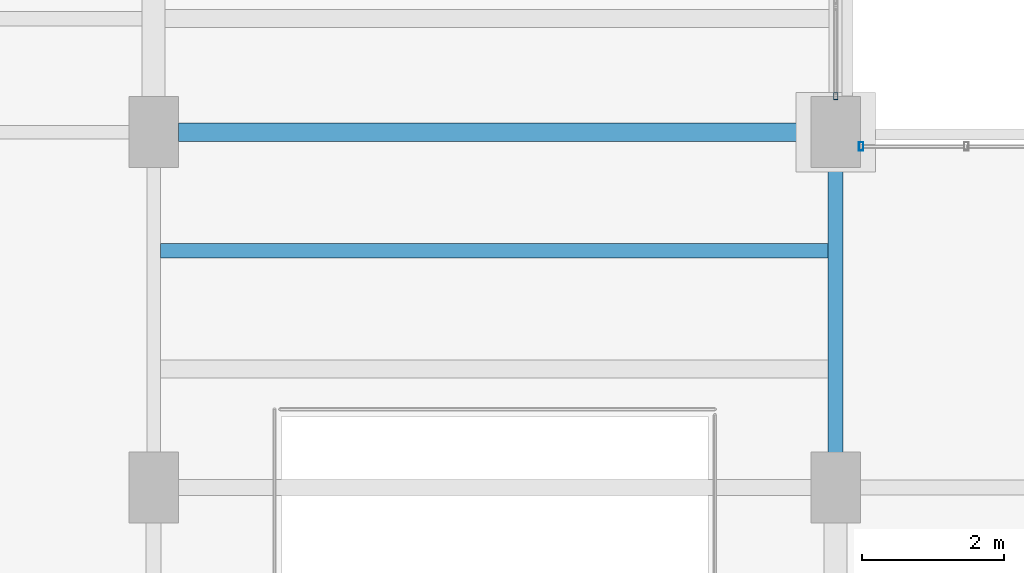
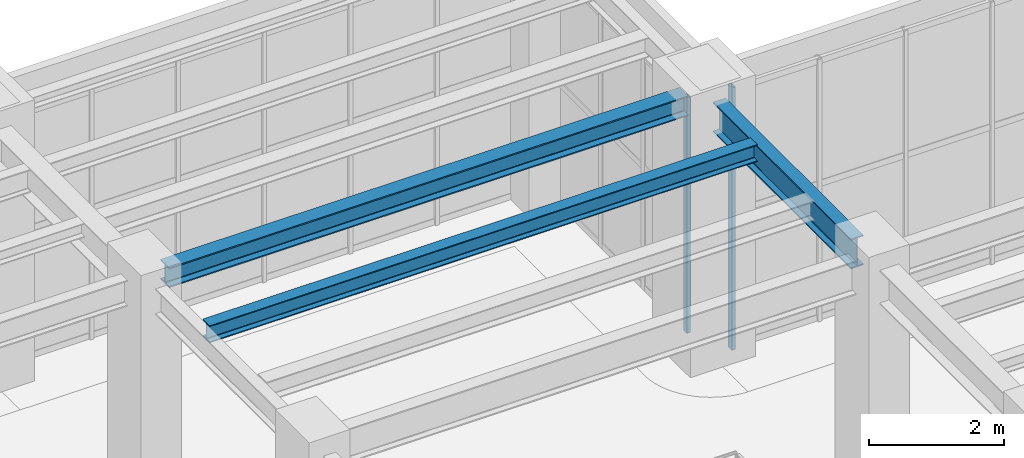
# One storey, part 91 of 174: 3 beams, 2 members, 2 elements without a shape of their own.
"""IFC4 building model written with IfcOpenShell, lengths in metres."""

from ifc_helpers import new_model, si_unit, direction, frame, origin, origin_2d, place, context, subcontext, project, spatial, hollow_rectangle, i_section, extrude, material, material_profile, profile_set, type_object, element, aggregate, save


model = new_model("IFC4")

# Units and contexts
model_context = context("Model", 3, precision=1e-05, world=origin(), true_north=direction((0.0, 1.0)))
body_context = subcontext(model_context, "Body", "Model", "MODEL_VIEW")
ifc_project = project(units=[si_unit("LENGTHUNIT", "METRE"), si_unit("AREAUNIT", "SQUARE_METRE"), si_unit("VOLUMEUNIT", "CUBIC_METRE"), si_unit("PLANEANGLEUNIT", "RADIAN"), si_unit("MASSUNIT", "GRAM", prefix="KILO")], contexts=[model_context])

# Site, building, storey
site_placement = place(None, origin())
site = spatial("IfcSite", under=ifc_project, at=site_placement, CompositionType="ELEMENT")
building_placement = place(site_placement, origin())
building = spatial("IfcBuilding", under=site, at=building_placement, Name="Mavantir Sound Aquarium", CompositionType="ELEMENT")
storey_placement = place(building_placement, frame((0.0, 0.0, 5.39990234375)))
storey = spatial("IfcBuildingStorey", under=building, at=storey_placement, Name="L01", CompositionType="ELEMENT", Elevation=5.39990234375)

# Beams
ifc_material_1 = material(Name="Structural Steel ASTM A992 Gr50", Category="steel")
ifc_material_profile_1 = material_profile(ifc_material_1, i_section(OverallWidth=0.205078125, OverallDepth=0.31005859375, WebThickness=0.009521484375, FlangeThickness=0.016357421875, FilletRadius=0.012939453125, at=origin_2d()), Name="W310X74")
ifc_profile_set_1 = profile_set([ifc_material_profile_1], Name="Structural Steel ASTM A992 Gr50")
beam_type_1 = type_object("IfcBeamType", Name="BM-W310X74-I", PredefinedType="JOIST", material=ifc_profile_set_1)
beam_1_placement = place(storey_placement, frame((108.096923828125, 89.13330078125, 4.651123046875), z_axis=(1.0, 0.0, 0.0), x_axis=(0.0, 1.0, 0.0)))
element("IfcBeam", 1, at=beam_1_placement, inside=storey, type_object=beam_type_1, Name="L01 secondary floor joist SJ-31 791", PredefinedType="JOIST", context=body_context, shape_type="SweptSolid", body=[
    extrude(i_section(OverallWidth=0.205078125, OverallDepth=0.31005859375, WebThickness=0.009521484375, FlangeThickness=0.016357421875, FilletRadius=0.012939453125, at=origin_2d()), origin(), (0.0, 0.0, 1.0), 9.39697265625),
])
ifc_material_profile_2 = material_profile(ifc_material_1, i_section(OverallWidth=0.257080078125, OverallDepth=0.363037109375, WebThickness=0.012939453125, FlangeThickness=0.021728515625, FilletRadius=0.014892578125, at=origin_2d()), Name="W360X122")
ifc_profile_set_2 = profile_set([ifc_material_profile_2], Name="Structural Steel ASTM A992 Gr50")
beam_type_2 = type_object("IfcBeamType", Name="BM-W360X122-I", PredefinedType="BEAM", material=ifc_profile_set_2)
beam_2_placement = place(storey_placement, frame((108.35009765625, 90.800048828125, 4.594482421875), z_axis=(1.0, 0.0, 0.0), x_axis=(0.0, 1.0, 0.0)))
element("IfcBeam", 2, at=beam_2_placement, inside=storey, type_object=beam_type_2, Name="L01 primary beam SB-36A 1280", PredefinedType="BEAM", context=body_context, shape_type="SweptSolid", body=[
    extrude(i_section(OverallWidth=0.257080078125, OverallDepth=0.363037109375, WebThickness=0.012939453125, FlangeThickness=0.021728515625, FilletRadius=0.014892578125, at=origin_2d()), origin(), (0.0, 0.0, 1.0), 8.89990234375),
])
ifc_material_profile_3 = material_profile(ifc_material_1, i_section(OverallWidth=0.2119140625, OverallDepth=0.5439453125, WebThickness=0.01318359375, FlangeThickness=0.021240234375, FilletRadius=0.01806640625, at=origin_2d()), Name="W530X123")
ifc_profile_set_3 = profile_set([ifc_material_profile_3], Name="Structural Steel ASTM A992 Gr50")
beam_type_3 = type_object("IfcBeamType", Name="BM-W530X123-I", PredefinedType="BEAM", material=ifc_profile_set_3)
beam_3_placement = place(storey_placement, frame((117.60009765625, 86.25, 4.504150390625), z_axis=(0.0, 1.0, 0.0), x_axis=(-1.0, 0.0, 0.0)))
element("IfcBeam", 3, at=beam_3_placement, inside=storey, type_object=beam_type_3, Name="L01 primary girder SB-53 1310", PredefinedType="BEAM", context=body_context, shape_type="SweptSolid", body=[
    extrude(i_section(OverallWidth=0.2119140625, OverallDepth=0.5439453125, WebThickness=0.01318359375, FlangeThickness=0.021240234375, FilletRadius=0.01806640625, at=origin_2d()), origin(), (0.0, 0.0, 1.0), 4.10009765625),
])

# Curtain wall, member
ifc_material_2 = material(Name="Anodised Marine Aluminium and Low-E Glass", Category="aluminium")
curtain_wall_type_1 = type_object("IfcCurtainWallType", Name="CW-T15", PredefinedType="USERDEFINED", material=ifc_material_2)
curtain_wall_1_placement = place(storey_placement, origin())
curtain_wall_1 = element("IfcCurtainWall", 4, at=curtain_wall_1_placement, inside=storey, type_object=curtain_wall_type_1, Name="L01 unitised curtain wall CW-15 87", ObjectType="UNITISED GLAZING", PredefinedType="USERDEFINED")
ifc_material_3 = material(Name="Anodised Marine Aluminium 6063-T6", Category="aluminium")
ifc_material_profile_4 = material_profile(ifc_material_3, hollow_rectangle(XDim=0.06005859375, YDim=0.10009765625, WallThickness=0.00390625, at=origin_2d()), Name="ALU-MULLION-100X60")
ifc_profile_set_4 = profile_set([ifc_material_profile_4], Name="Anodised Marine Aluminium 6063-T6")
member_type_1 = type_object("IfcMemberType", Name="CW-MUL-100", PredefinedType="MULLION", material=ifc_profile_set_4)
member_1_placement = place(storey_placement, frame((117.60009765625, 91.30810546875, 0.0), z_axis=(0.0, 0.0, 1.0), x_axis=(1.0, 0.0, 0.0)))
member_1 = element("IfcMember", 5, at=member_1_placement, type_object=member_type_1, Name="CW-L01-087 vertical mullion 1", PredefinedType="MULLION", context=body_context, shape_type="SweptSolid", body=[
    extrude(hollow_rectangle(XDim=0.06005859375, YDim=0.10009765625, WallThickness=0.00390625, at=origin_2d()), origin(), (0.0, 0.0, 1.0), 4.277099609375),
])
aggregate(curtain_wall_1, [member_1])

curtain_wall_type_2 = type_object("IfcCurtainWallType", Name="CW-T14", PredefinedType="USERDEFINED", material=ifc_material_2)
curtain_wall_2_placement = place(storey_placement, origin())
curtain_wall_2 = element("IfcCurtainWall", 6, at=curtain_wall_2_placement, inside=storey, type_object=curtain_wall_type_2, Name="L01 unitised curtain wall CW-14 86", ObjectType="UNITISED GLAZING", PredefinedType="USERDEFINED")
ifc_material_profile_5 = material_profile(ifc_material_3, hollow_rectangle(XDim=0.06494140625, YDim=0.1201171875, WallThickness=0.00390625, at=origin_2d()), Name="ALU-MULLION-120X65")
ifc_profile_set_5 = profile_set([ifc_material_profile_5], Name="Anodised Marine Aluminium 6063-T6")
member_type_2 = type_object("IfcMemberType", Name="CW-MUL-120", PredefinedType="MULLION", material=ifc_profile_set_5)
member_2_placement = place(storey_placement, frame((117.9580078125, 90.60009765625, 0.0), z_axis=(0.0, 0.0, 1.0), x_axis=(1.0, 0.0, 0.0)))
member_2 = element("IfcMember", 7, at=member_2_placement, type_object=member_type_2, Name="CW-L01-086 vertical mullion 7", PredefinedType="MULLION", context=body_context, shape_type="SweptSolid", body=[
    extrude(hollow_rectangle(XDim=0.06494140625, YDim=0.1201171875, WallThickness=0.00390625, at=origin_2d()), origin(), (0.0, 0.0, 1.0), 4.760009765625),
])
aggregate(curtain_wall_2, [member_2])

save(model, "model.ifc")
